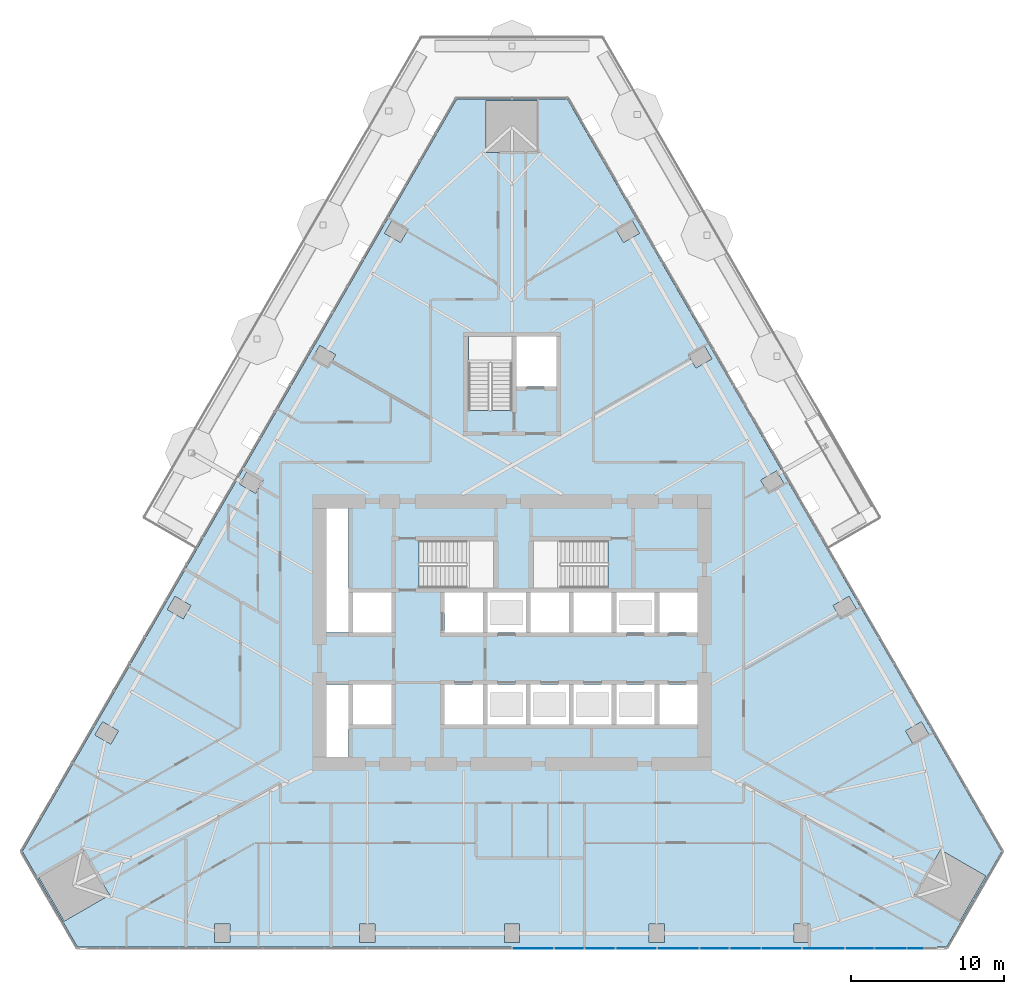
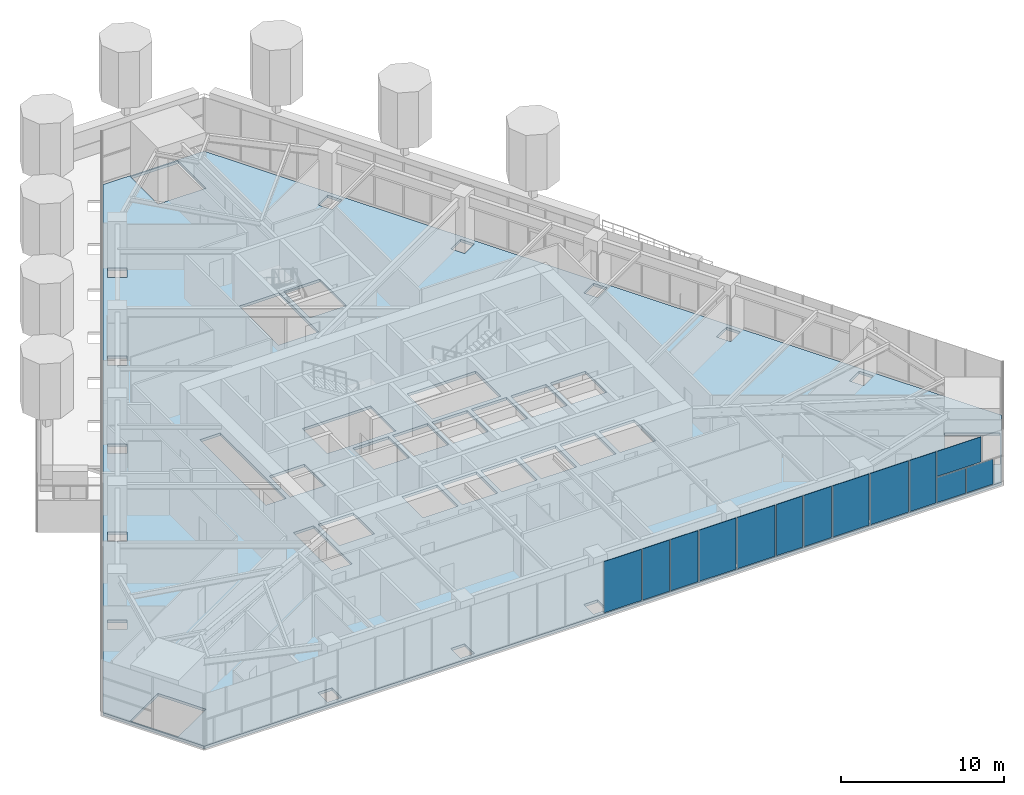
# One storey, part 13 of 25: 13 plates, 1 slab, 1 element without a shape of its own.
"""IFC4 building model written with IfcOpenShell, lengths in metres."""

from ifc_helpers import new_model, si_unit, direction, frame, origin, place, context, subcontext, project, spatial, polyline, outline, extrude, material, layer, layer_set, type_object, element, aggregate, save


model = new_model("IFC4")

# Units and contexts
model_context = context("Model", 3, precision=1e-05, world=origin(), true_north=direction((0.0, 1.0)))
body_context = subcontext(model_context, "Body", "Model", "MODEL_VIEW")
ifc_project = project(units=[si_unit("LENGTHUNIT", "METRE"), si_unit("AREAUNIT", "SQUARE_METRE"), si_unit("VOLUMEUNIT", "CUBIC_METRE"), si_unit("PLANEANGLEUNIT", "RADIAN"), si_unit("MASSUNIT", "GRAM", prefix="KILO")], contexts=[model_context])

# Site, building, storey
site_placement = place(None, origin())
site = spatial("IfcSite", under=ifc_project, at=site_placement, CompositionType="ELEMENT")
building_placement = place(site_placement, origin())
building = spatial("IfcBuilding", under=site, at=building_placement, Name="Firuza Gate Tower and Library", CompositionType="ELEMENT")
storey_placement = place(building_placement, frame((0.0, 0.0, 86.199951171875)))
storey = spatial("IfcBuildingStorey", under=building, at=storey_placement, Name="L19", CompositionType="ELEMENT", Elevation=86.199951171875)

# Slab
ifc_material_1 = material(Name="Concrete C40/50", Category="concrete")
ifc_layer_1 = layer(ifc_material_1, 0.199951171875)
ifc_layer_set_1 = layer_set([ifc_layer_1], Name="Composite floor slab 200 C40/50")
slab_type = type_object("IfcSlabType", Name="Composite floor slab 200 C40/50", PredefinedType="FLOOR", material=ifc_layer_set_1)
slab_placement = place(storey_placement, frame((0.0, 0.0, -0.199951171875)))
element("IfcSlab", 1, at=slab_placement, inside=storey, type_object=slab_type, Name="Floor slab L19", PredefinedType="FLOOR", context=body_context, shape_type="SweptSolid", body=[
    extrude(outline(polyline([(43.091552734375, 60.734619140625), (46.691650390625, 54.499267578125), (103.308349609375, 54.499267578125), (106.908447265625, 60.734619140625), (78.60009765625, 109.76611328125), (71.39990234375, 109.76611328125), (43.091552734375, 60.734619140625)]), holes=[polyline([(55.627685546875, 54.79931640625), (55.627685546875, 55.999267578125), (56.627685546875, 55.999267578125), (56.627685546875, 54.79931640625), (55.627685546875, 54.79931640625)]), polyline([(65.06396484375, 54.79931640625), (65.06396484375, 55.999267578125), (66.06396484375, 55.999267578125), (66.06396484375, 54.79931640625), (65.06396484375, 54.79931640625)]), polyline([(44.128173828125, 59.13916015625), (47.07275390625, 60.839111328125), (48.772705078125, 57.89453125), (45.828125, 56.194580078125), (44.128173828125, 59.13916015625)]), polyline([(48.3193359375, 69.189453125), (49.358642578125, 68.589599609375), (48.858642578125, 67.723388671875), (47.8193359375, 68.323486328125), (48.3193359375, 69.189453125)]), polyline([(64.35009765625, 66.89990234375), (62.89990234375, 66.89990234375), (62.89990234375, 71.60009765625), (64.35009765625, 71.60009765625), (64.35009765625, 66.89990234375)]), polyline([(75.89990234375, 69.0), (73.39990234375, 69.0), (73.39990234375, 71.60009765625), (75.89990234375, 71.60009765625), (75.89990234375, 69.0)]), polyline([(73.10009765625, 69.0), (70.60009765625, 69.0), (70.60009765625, 71.60009765625), (73.10009765625, 71.60009765625), (73.10009765625, 69.0)]), polyline([(64.64990234375, 69.0), (64.64990234375, 71.60009765625), (67.14990234375, 71.60009765625), (67.14990234375, 69.0), (64.64990234375, 69.0)]), polyline([(64.64990234375, 75.0), (64.64990234375, 77.60009765625), (67.14990234375, 77.60009765625), (67.14990234375, 75.0), (64.64990234375, 75.0)]), polyline([(75.89990234375, 75.0), (73.39990234375, 75.0), (73.39990234375, 77.60009765625), (75.89990234375, 77.60009765625), (75.89990234375, 75.0)]), polyline([(73.10009765625, 75.0), (70.60009765625, 75.0), (70.60009765625, 77.60009765625), (73.10009765625, 77.60009765625), (73.10009765625, 75.0)]), polyline([(53.03759765625, 77.361572265625), (54.07666015625, 76.761474609375), (53.57666015625, 75.8955078125), (52.53759765625, 76.495361328125), (53.03759765625, 77.361572265625)]), polyline([(62.89990234375, 75.0), (62.89990234375, 83.10009765625), (64.35009765625, 83.10009765625), (64.35009765625, 75.0), (62.89990234375, 75.0)]), polyline([(68.9404296875, 77.89990234375), (68.9404296875, 80.97998046875), (73.81005859375, 80.97998046875), (73.81005859375, 77.89990234375), (68.9404296875, 77.89990234375)]), polyline([(57.755615234375, 85.533447265625), (58.794921875, 84.933349609375), (58.294921875, 84.0673828125), (57.255615234375, 84.66748046875), (57.755615234375, 85.533447265625)]), polyline([(72.159912109375, 89.470458984375), (72.159912109375, 94.300048828125), (75.0, 94.300048828125), (75.0, 89.470458984375), (72.159912109375, 89.470458984375)]), polyline([(62.4736328125, 93.705322265625), (63.512939453125, 93.10546875), (63.012939453125, 92.2392578125), (61.9736328125, 92.83935546875), (62.4736328125, 93.705322265625)]), polyline([(68.23095703125, 101.27734375), (67.73095703125, 100.411376953125), (66.691650390625, 101.01123046875), (67.191650390625, 101.877197265625), (68.23095703125, 101.27734375)]), polyline([(76.699951171875, 106.26611328125), (73.300048828125, 106.26611328125), (73.300048828125, 109.666259765625), (76.699951171875, 109.666259765625), (76.699951171875, 106.26611328125)]), polyline([(93.372314453125, 54.79931640625), (93.372314453125, 55.999267578125), (94.372314453125, 55.999267578125), (94.372314453125, 54.79931640625), (93.372314453125, 54.79931640625)]), polyline([(74.5, 54.79931640625), (74.5, 55.999267578125), (75.5, 55.999267578125), (75.5, 54.79931640625), (74.5, 54.79931640625)]), polyline([(83.93603515625, 54.79931640625), (83.93603515625, 55.999267578125), (84.93603515625, 55.999267578125), (84.93603515625, 54.79931640625), (83.93603515625, 54.79931640625)]), polyline([(104.171875, 56.194580078125), (101.227294921875, 57.89453125), (102.92724609375, 60.839111328125), (105.871826171875, 59.13916015625), (104.171875, 56.194580078125)]), polyline([(102.1806640625, 68.323486328125), (101.141357421875, 67.723388671875), (100.641357421875, 68.589599609375), (101.6806640625, 69.189453125), (102.1806640625, 68.323486328125)]), polyline([(78.699951171875, 69.0), (76.199951171875, 69.0), (76.199951171875, 71.60009765625), (78.699951171875, 71.60009765625), (78.699951171875, 69.0)]), polyline([(81.5, 69.0), (79.0, 69.0), (79.0, 71.60009765625), (81.5, 71.60009765625), (81.5, 69.0)]), polyline([(84.60009765625, 69.0), (84.60009765625, 71.60009765625), (87.10009765625, 71.60009765625), (87.10009765625, 69.0), (84.60009765625, 69.0)]), polyline([(81.800048828125, 69.0), (81.800048828125, 71.60009765625), (84.300048828125, 71.60009765625), (84.300048828125, 69.0), (81.800048828125, 69.0)]), polyline([(84.300048828125, 75.0), (81.800048828125, 75.0), (81.800048828125, 77.60009765625), (84.300048828125, 77.60009765625), (84.300048828125, 75.0)]), polyline([(87.10009765625, 75.0), (84.60009765625, 75.0), (84.60009765625, 77.60009765625), (87.10009765625, 77.60009765625), (87.10009765625, 75.0)]), polyline([(81.5, 75.0), (79.0, 75.0), (79.0, 77.60009765625), (81.5, 77.60009765625), (81.5, 75.0)]), polyline([(76.199951171875, 75.0), (76.199951171875, 77.60009765625), (78.699951171875, 77.60009765625), (78.699951171875, 75.0), (76.199951171875, 75.0)]), polyline([(96.42333984375, 75.8955078125), (95.92333984375, 76.761474609375), (96.96240234375, 77.361572265625), (97.46240234375, 76.495361328125), (96.42333984375, 75.8955078125)]), polyline([(81.259521484375, 77.89990234375), (76.389892578125, 77.89990234375), (76.389892578125, 80.97998046875), (81.259521484375, 80.97998046875), (81.259521484375, 77.89990234375)]), polyline([(92.744384765625, 84.66748046875), (91.705078125, 84.0673828125), (91.205078125, 84.933349609375), (92.244384765625, 85.533447265625), (92.744384765625, 84.66748046875)]), polyline([(77.89990234375, 91.050048828125), (75.300048828125, 91.050048828125), (75.300048828125, 94.300048828125), (77.89990234375, 94.300048828125), (77.89990234375, 91.050048828125)]), polyline([(86.987060546875, 92.2392578125), (86.487060546875, 93.10546875), (87.5263671875, 93.705322265625), (88.0263671875, 92.83935546875), (86.987060546875, 92.2392578125)]), polyline([(82.26904296875, 100.411376953125), (81.76904296875, 101.27734375), (82.808349609375, 101.877197265625), (83.308349609375, 101.01123046875), (82.26904296875, 100.411376953125)])]), origin(), (0.0, 0.0, 1.0), 0.199951171875),
])

# Curtain wall, plates
ifc_material_2 = material(Name="Aluminium 6063-T6", Category="aluminium")
ifc_layer_2 = layer(ifc_material_2, 0.14990234375)
ifc_layer_set_2 = layer_set([ifc_layer_2], Name="Unitised curtain wall, offices")
curtain_wall_type = type_object("IfcCurtainWallType", Name="Unitised curtain wall, offices", PredefinedType="NOTDEFINED", material=ifc_layer_set_2)
curtain_wall_placement = place(storey_placement, origin())
curtain_wall = element("IfcCurtainWall", 2, at=curtain_wall_placement, inside=storey, type_object=curtain_wall_type, Name="CW1 L19 S face", PredefinedType="NOTDEFINED")
ifc_material_3 = material(Name="Fritted glass", Category="glass")
ifc_layer_3 = layer(ifc_material_3, 0.030029296875)
ifc_layer_set_3 = layer_set([ifc_layer_3], Name="Fritted glass unit, offices")
plate_type_1 = type_object("IfcPlateType", Name="Fritted glass unit, offices", PredefinedType="CURTAIN_PANEL", material=ifc_layer_set_3)
plate_1_placement = place(storey_placement, frame((77.773681640625, 54.4091796875, 0.150146484375), z_axis=(0.0, -1.0, 0.0), x_axis=(1.0, 0.0, 0.0)))
plate_1 = element("IfcPlate", 3, at=plate_1_placement, type_object=plate_type_1, Name="Glass unit", PredefinedType="CURTAIN_PANEL", context=body_context, shape_type="SweptSolid", body=[
    extrude(outline(polyline([(0.0, 0.0), (1.91162109375, 0.0), (1.91162109375, 3.849853515625), (0.0, 3.849853515625), (0.0, 0.0)])), origin(), (0.0, 0.0, -1.0), 0.030029296875),
])
plate_2_placement = place(storey_placement, frame((79.765380859375, 54.4091796875, 0.150146484375), z_axis=(0.0, -1.0, 0.0), x_axis=(1.0, 0.0, 0.0)))
plate_2 = element("IfcPlate", 4, at=plate_2_placement, type_object=plate_type_1, Name="Glass unit", PredefinedType="CURTAIN_PANEL", context=body_context, shape_type="SweptSolid", body=[
    extrude(outline(polyline([(0.0, 0.0), (1.9462890625, 0.0), (1.9462890625, 3.849853515625), (0.0, 3.849853515625), (0.0, 0.0)])), origin(), (0.0, 0.0, -1.0), 0.030029296875),
])
plate_3_placement = place(storey_placement, frame((87.2587890625, 54.4091796875, 0.150146484375), z_axis=(0.0, -1.0, 0.0), x_axis=(1.0, 0.0, 0.0)))
plate_3 = element("IfcPlate", 5, at=plate_3_placement, type_object=plate_type_1, Name="Glass unit", PredefinedType="CURTAIN_PANEL", context=body_context, shape_type="SweptSolid", body=[
    extrude(outline(polyline([(0.0, 0.0), (1.876953125, 0.0), (1.876953125, 3.849853515625), (0.0, 3.849853515625), (0.0, 0.0)])), origin(), (0.0, 0.0, -1.0), 0.030029296875),
])
plate_4_placement = place(storey_placement, frame((89.2158203125, 54.4091796875, 0.150146484375), z_axis=(0.0, -1.0, 0.0), x_axis=(1.0, 0.0, 0.0)))
plate_4 = element("IfcPlate", 6, at=plate_4_placement, type_object=plate_type_1, Name="Glass unit", PredefinedType="CURTAIN_PANEL", context=body_context, shape_type="SweptSolid", body=[
    extrude(outline(polyline([(0.0, 0.0), (1.981201171875, 0.0), (1.981201171875, 3.849853515625), (0.0, 3.849853515625), (0.0, 0.0)])), origin(), (0.0, 0.0, -1.0), 0.030029296875),
])
plate_5_placement = place(storey_placement, frame((96.744140625, 54.4091796875, 0.150146484375), z_axis=(0.0, -1.0, 0.0), x_axis=(1.0, 0.0, 0.0)))
plate_5 = element("IfcPlate", 7, at=plate_5_placement, type_object=plate_type_1, Name="Glass unit", PredefinedType="CURTAIN_PANEL", context=body_context, shape_type="SweptSolid", body=[
    extrude(outline(polyline([(0.0, 0.0), (1.84228515625, 0.0), (1.84228515625, 3.849853515625), (0.0, 3.849853515625), (0.0, 0.0)])), origin(), (0.0, 0.0, -1.0), 0.030029296875),
])
plate_6_placement = place(storey_placement, frame((98.66650390625, 54.4091796875, 0.150146484375), z_axis=(0.0, -1.0, 0.0), x_axis=(1.0, 0.0, 0.0)))
plate_6 = element("IfcPlate", 8, at=plate_6_placement, type_object=plate_type_1, Name="Glass unit", PredefinedType="CURTAIN_PANEL", context=body_context, shape_type="SweptSolid", body=[
    extrude(outline(polyline([(0.0, 0.0), (2.015869140625, 0.0), (2.015869140625, 1.885009765625), (0.0, 1.885009765625), (0.0, 0.0)])), origin(), (0.0, 0.0, -1.0), 0.030029296875),
])
plate_7_placement = place(storey_placement, frame((98.66650390625, 54.4091796875, 2.114990234375), z_axis=(0.0, -1.0, 0.0), x_axis=(1.0, 0.0, 0.0)))
plate_7 = element("IfcPlate", 9, at=plate_7_placement, type_object=plate_type_1, Name="Glass unit", PredefinedType="CURTAIN_PANEL", context=body_context, shape_type="SweptSolid", body=[
    extrude(outline(polyline([(0.0, 0.0), (3.125244140625, 0.0), (3.125244140625, 1.885009765625), (0.0, 1.885009765625), (0.0, 0.0)])), origin(), (0.0, 0.0, -1.0), 0.030029296875),
])
ifc_material_4 = material(Name="Glazed ceramic tile")
ifc_layer_4 = layer(ifc_material_4, 0.030029296875)
ifc_layer_set_4 = layer_set([ifc_layer_4], Name="Opaque ceramic panel, offices")
plate_type_2 = type_object("IfcPlateType", Name="Opaque ceramic panel, offices", PredefinedType="CURTAIN_PANEL", material=ifc_layer_set_4)
plate_8_placement = place(storey_placement, frame((75.0400390625, 54.4091796875, 0.150146484375), z_axis=(0.0, -1.0, 0.0), x_axis=(1.0, 0.0, 0.0)))
plate_8 = element("IfcPlate", 10, at=plate_8_placement, type_object=plate_type_2, Name="Opaque ceramic panel", PredefinedType="CURTAIN_PANEL", context=body_context, shape_type="SweptSolid", body=[
    extrude(outline(polyline([(0.0, 0.0), (2.653564453125, 0.0), (2.653564453125, 3.849853515625), (0.0, 3.849853515625), (0.0, 0.0)])), origin(), (0.0, 0.0, -1.0), 0.030029296875),
])
plate_9_placement = place(storey_placement, frame((81.791748046875, 54.4091796875, 0.150146484375), z_axis=(0.0, -1.0, 0.0), x_axis=(1.0, 0.0, 0.0)))
plate_9 = element("IfcPlate", 11, at=plate_9_placement, type_object=plate_type_2, Name="Opaque ceramic panel", PredefinedType="CURTAIN_PANEL", context=body_context, shape_type="SweptSolid", body=[
    extrude(outline(polyline([(0.0, 0.0), (2.618896484375, 0.0), (2.618896484375, 3.849853515625), (0.0, 3.849853515625), (0.0, 0.0)])), origin(), (0.0, 0.0, -1.0), 0.030029296875),
])
plate_10_placement = place(storey_placement, frame((84.490478515625, 54.4091796875, 0.150146484375), z_axis=(0.0, -1.0, 0.0), x_axis=(1.0, 0.0, 0.0)))
plate_10 = element("IfcPlate", 12, at=plate_10_placement, type_object=plate_type_2, Name="Opaque ceramic panel", PredefinedType="CURTAIN_PANEL", context=body_context, shape_type="SweptSolid", body=[
    extrude(outline(polyline([(0.0, 0.0), (2.6884765625, 0.0), (2.6884765625, 3.849853515625), (0.0, 3.849853515625), (0.0, 0.0)])), origin(), (0.0, 0.0, -1.0), 0.030029296875),
])
plate_11_placement = place(storey_placement, frame((91.277099609375, 54.4091796875, 0.150146484375), z_axis=(0.0, -1.0, 0.0), x_axis=(1.0, 0.0, 0.0)))
plate_11 = element("IfcPlate", 13, at=plate_11_placement, type_object=plate_type_2, Name="Opaque ceramic panel", PredefinedType="CURTAIN_PANEL", context=body_context, shape_type="SweptSolid", body=[
    extrude(outline(polyline([(0.0, 0.0), (2.583984375, 0.0), (2.583984375, 3.849853515625), (0.0, 3.849853515625), (0.0, 0.0)])), origin(), (0.0, 0.0, -1.0), 0.030029296875),
])
plate_12_placement = place(storey_placement, frame((93.941162109375, 54.4091796875, 0.150146484375), z_axis=(0.0, -1.0, 0.0), x_axis=(1.0, 0.0, 0.0)))
plate_12 = element("IfcPlate", 14, at=plate_12_placement, type_object=plate_type_2, Name="Opaque ceramic panel", PredefinedType="CURTAIN_PANEL", context=body_context, shape_type="SweptSolid", body=[
    extrude(outline(polyline([(0.0, 0.0), (2.722900390625, 0.0), (2.722900390625, 3.849853515625), (0.0, 3.849853515625), (0.0, 0.0)])), origin(), (0.0, 0.0, -1.0), 0.030029296875),
])
plate_13_placement = place(storey_placement, frame((100.762451171875, 54.4091796875, 0.150146484375), z_axis=(0.0, -1.0, 0.0), x_axis=(1.0, 0.0, 0.0)))
plate_13 = element("IfcPlate", 15, at=plate_13_placement, type_object=plate_type_2, Name="Opaque ceramic panel", PredefinedType="CURTAIN_PANEL", context=body_context, shape_type="SweptSolid", body=[
    extrude(outline(polyline([(0.0, 0.0), (1.8779296875, 0.0), (1.8779296875, 1.885009765625), (0.0, 1.885009765625), (0.0, 0.0)])), origin(), (0.0, 0.0, -1.0), 0.030029296875),
])
aggregate(curtain_wall, [plate_8, plate_1, plate_2, plate_9, plate_10, plate_3, plate_4, plate_11, plate_12, plate_5, plate_6, plate_13, plate_7])

save(model, "model.ifc")
